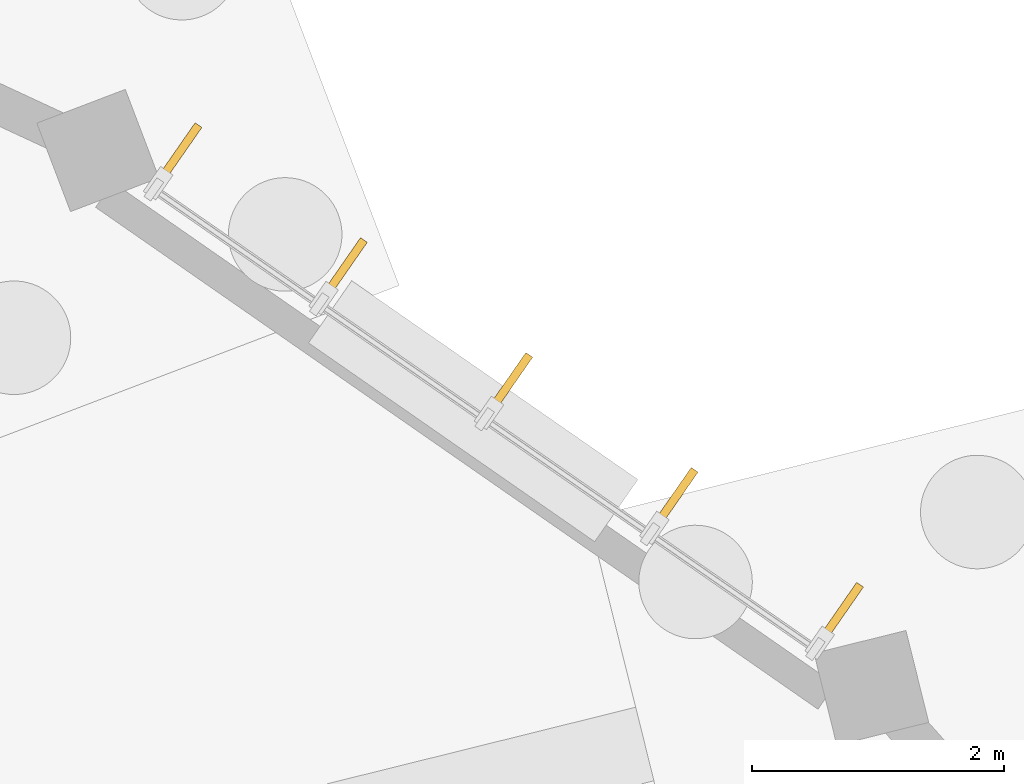
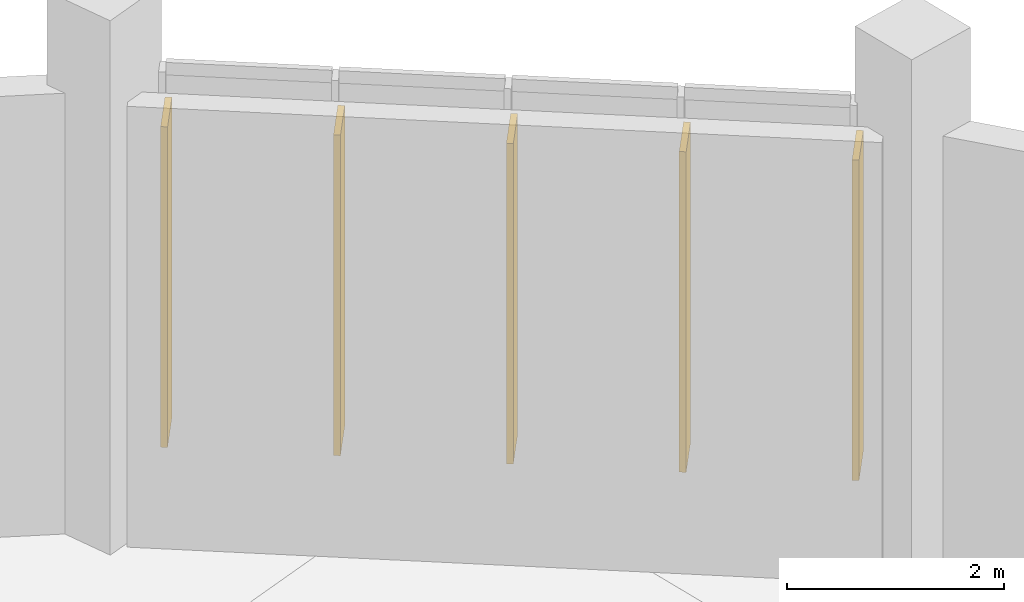
# One storey, part 139 of 140: 5 shading devices.
"""IFC4 building model written with IfcOpenShell, lengths in metres."""

from ifc_helpers import new_model, si_unit, direction, frame, origin, origin_2d, place, context, subcontext, project, spatial, rectangle, extrude, material, type_object, element, save


model = new_model("IFC4")

# Units and contexts
model_context = context("Model", 3, precision=1e-05, world=origin(), true_north=direction((0.0, 1.0)))
body_context = subcontext(model_context, "Body", "Model", "MODEL_VIEW")
ifc_project = project(units=[si_unit("LENGTHUNIT", "METRE"), si_unit("AREAUNIT", "SQUARE_METRE"), si_unit("VOLUMEUNIT", "CUBIC_METRE"), si_unit("PLANEANGLEUNIT", "RADIAN"), si_unit("MASSUNIT", "GRAM", prefix="KILO")], contexts=[model_context])

# Site, building, storey
site_placement = place(None, origin())
site = spatial("IfcSite", under=ifc_project, at=site_placement, CompositionType="ELEMENT")
building_placement = place(site_placement, origin())
building = spatial("IfcBuilding", under=site, at=building_placement, Name="Corvandel Quay Wholesale Market", CompositionType="ELEMENT")
storey_placement = place(building_placement, origin())
storey = spatial("IfcBuildingStorey", under=building, at=storey_placement, Name="L00", CompositionType="ELEMENT", Elevation=0.0)

# Shading devices
ifc_material = material(Name="Bronze anodised extruded aluminium 6063-T6", Category="aluminium")
shading_device_type = type_object("IfcShadingDeviceType", Name="Vertical Anodised Bronze Solar Fin FN01 480mm", PredefinedType="JALOUSIE", material=ifc_material)
for number, where, z_axis, x_axis, name in (
    (1, (163.400390625, 128.936279296875, 0.77490234375), (0.0, 0.0, 1.0), (0.570570241419, 0.821248804935, 0.0), "Solar Fin 0269"),
    (2, (162.08984375, 129.8466796875, 0.77490234375), (0.0, 0.0, 1.0), (0.570570241419, 0.821248804935, 0.0), "Solar Fin 0270"),
    (3, (160.779296875, 130.757080078125, 0.77490234375), (0.0, 0.0, 1.0), (0.570570241419, 0.821248804935, 0.0), "Solar Fin 0271"),
    (4, (159.46875, 131.66748046875, 0.77490234375), (0.0, 0.0, 1.0), (0.570570241419, 0.821248804935, 0.0), "Solar Fin 0272"),
    (5, (158.158203125, 132.577880859375, 0.77490234375), (0.0, 0.0, 1.0), (0.570570241419, 0.821248804935, 0.0), "Solar Fin 0273"),
):
    element("IfcShadingDevice", number, at=place(storey_placement, frame(where, z_axis=z_axis, x_axis=x_axis)), inside=storey, type_object=shading_device_type, Name=name, PredefinedType="JALOUSIE", context=body_context, shape_type="SweptSolid", body=[
        extrude(rectangle(XDim=0.47998046875, YDim=0.06494140625, at=origin_2d()), origin(), (0.0, 0.0, 1.0), 3.60009765625),
    ])

save(model, "model.ifc")
